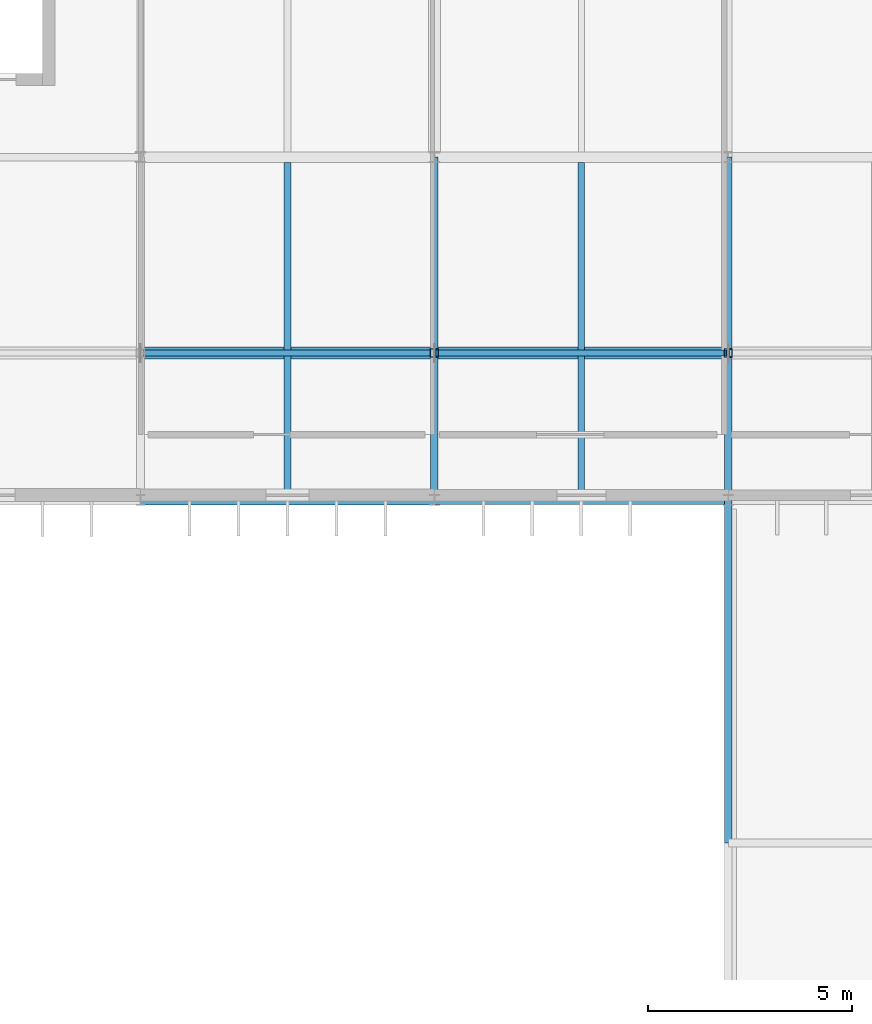
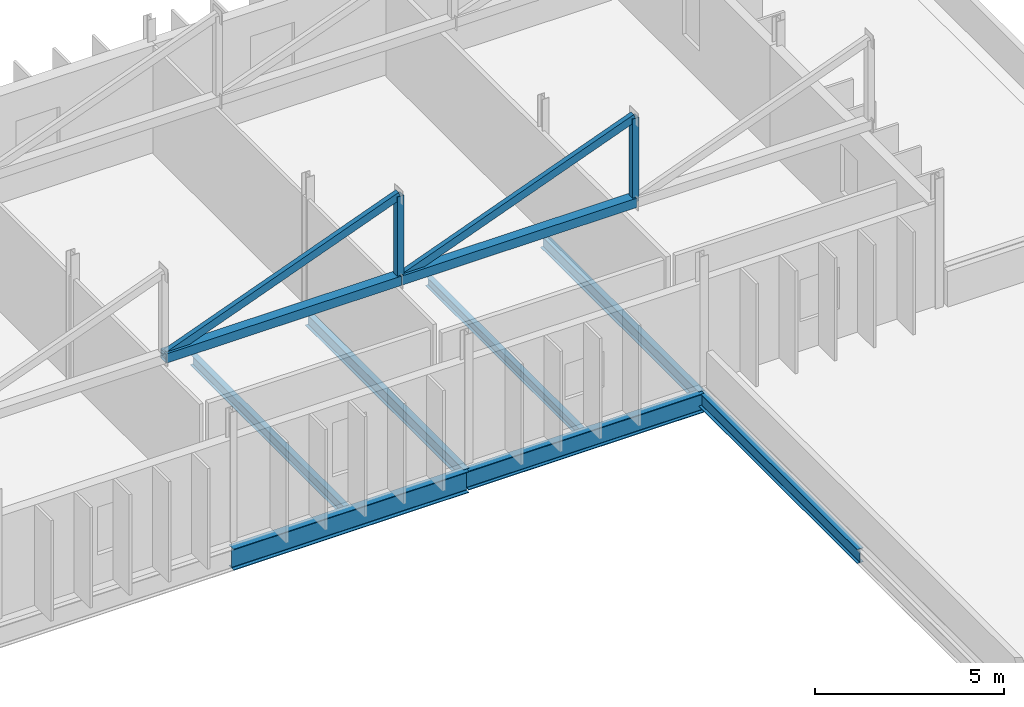
# One storey, part 21 of 52: 7 beams, 6 members.
"""IFC4 building model written with IfcOpenShell, lengths in metres."""

from ifc_helpers import new_model, si_unit, direction, frame, origin, origin_2d, place, context, subcontext, project, spatial, hollow_rectangle, i_section, extrude, material, material_profile, profile_set, type_object, element, save


model = new_model("IFC4")

# Units and contexts
model_context = context("Model", 3, precision=1e-05, world=origin(), true_north=direction((0.0, 1.0)))
body_context = subcontext(model_context, "Body", "Model", "MODEL_VIEW")
ifc_project = project(units=[si_unit("LENGTHUNIT", "METRE"), si_unit("AREAUNIT", "SQUARE_METRE"), si_unit("VOLUMEUNIT", "CUBIC_METRE"), si_unit("PLANEANGLEUNIT", "RADIAN"), si_unit("MASSUNIT", "GRAM", prefix="KILO")], contexts=[model_context])

# Site, building, storey
site_placement = place(None, origin())
site = spatial("IfcSite", under=ifc_project, at=site_placement, CompositionType="ELEMENT")
building_placement = place(site_placement, origin())
building = spatial("IfcBuilding", under=site, at=building_placement, Name="Qelthora Terrace Specialist Clinic", CompositionType="ELEMENT")
storey_placement = place(building_placement, frame((0.0, 0.0, 17.39990234375)))
storey = spatial("IfcBuildingStorey", under=building, at=storey_placement, Name="L04", CompositionType="ELEMENT", Elevation=17.39990234375)

# Beams
ifc_material = material(Name="Steel S355", Category="steel")
ifc_material_profile_1 = material_profile(ifc_material, i_section(OverallWidth=0.178955078125, OverallDepth=0.409912109375, WebThickness=0.0087890625, FlangeThickness=0.014404296875, FilletRadius=0.011962890625, at=origin_2d()), Name="W410X67")
ifc_profile_set_1 = profile_set([ifc_material_profile_1], Name="Steel S355")
beam_type_1 = type_object("IfcBeamType", Name="BM-W410X67", PredefinedType="BEAM", material=ifc_profile_set_1)
beam_1_placement = place(storey_placement, frame((86.39990234375, 92.39990234375, -0.454833984375), z_axis=(0.0, 1.0, 0.0), x_axis=(-1.0, 0.0, 0.0)))
element("IfcBeam", 1, at=beam_1_placement, inside=storey, type_object=beam_type_1, Name="Girder BMY-L04-1250", PredefinedType="BEAM", context=body_context, shape_type="SweptSolid", body=[
    extrude(i_section(OverallWidth=0.178955078125, OverallDepth=0.409912109375, WebThickness=0.0087890625, FlangeThickness=0.014404296875, FilletRadius=0.011962890625, at=origin_2d()), origin(), (0.0, 0.0, 1.0), 8.400146484375),
])
ifc_material_profile_2 = material_profile(ifc_material, i_section(OverallWidth=0.179931640625, OverallDepth=0.4130859375, WebThickness=0.009765625, FlangeThickness=0.01611328125, FilletRadius=0.011962890625, at=origin_2d()), Name="W410X75")
ifc_profile_set_2 = profile_set([ifc_material_profile_2], Name="Steel S355")
beam_type_2 = type_object("IfcBeamType", Name="BM-W410X75", PredefinedType="BEAM", material=ifc_profile_set_2)
beam_2_placement = place(storey_placement, frame((93.60009765625, 92.39990234375, -0.456298828125), z_axis=(0.0, 1.0, 0.0), x_axis=(-1.0, 0.0, 0.0)))
element("IfcBeam", 2, at=beam_2_placement, inside=storey, type_object=beam_type_2, Name="Girder BMY-L04-1259", PredefinedType="BEAM", context=body_context, shape_type="SweptSolid", body=[
    extrude(i_section(OverallWidth=0.179931640625, OverallDepth=0.4130859375, WebThickness=0.009765625, FlangeThickness=0.01611328125, FilletRadius=0.011962890625, at=origin_2d()), origin(), (0.0, 0.0, 1.0), 8.400146484375),
])
ifc_material_profile_3 = material_profile(ifc_material, i_section(OverallWidth=0.19091796875, OverallDepth=0.4599609375, WebThickness=0.010009765625, FlangeThickness=0.01611328125, FilletRadius=0.012939453125, at=origin_2d()), Name="W460X82")
ifc_profile_set_3 = profile_set([ifc_material_profile_3], Name="Steel S355")
beam_type_3 = type_object("IfcBeamType", Name="BM-W460X82", PredefinedType="BEAM", material=ifc_profile_set_3)
beam_3_placement = place(storey_placement, frame((93.60009765625, 84.0, -0.47998046875), z_axis=(0.0, 1.0, 0.0), x_axis=(-1.0, 0.0, 0.0)))
element("IfcBeam", 3, at=beam_3_placement, inside=storey, type_object=beam_type_3, Name="Girder BMY-L04-1258", PredefinedType="BEAM", context=body_context, shape_type="SweptSolid", body=[
    extrude(i_section(OverallWidth=0.19091796875, OverallDepth=0.4599609375, WebThickness=0.010009765625, FlangeThickness=0.01611328125, FilletRadius=0.012939453125, at=origin_2d()), origin(), (0.0, 0.0, 1.0), 8.39990234375),
])
ifc_material_profile_4 = material_profile(ifc_material, i_section(OverallWidth=0.22998046875, OverallDepth=0.616943359375, WebThickness=0.01318359375, FlangeThickness=0.022216796875, FilletRadius=0.01611328125, at=origin_2d()), Name="W610X140")
ifc_profile_set_4 = profile_set([ifc_material_profile_4], Name="Steel S355")
beam_type_4 = type_object("IfcBeamType", Name="BM-W610X140", PredefinedType="BEAM", material=ifc_profile_set_4)
beam_4_placement = place(storey_placement, frame((86.39990234375, 92.39990234375, -0.558349609375), z_axis=(1.0, 0.0, 0.0), x_axis=(0.0, 1.0, 0.0)))
element("IfcBeam", 4, at=beam_4_placement, inside=storey, type_object=beam_type_4, Name="Girder BMX-L04-1179", PredefinedType="BEAM", context=body_context, shape_type="SweptSolid", body=[
    extrude(i_section(OverallWidth=0.22998046875, OverallDepth=0.616943359375, WebThickness=0.01318359375, FlangeThickness=0.022216796875, FilletRadius=0.01611328125, at=origin_2d()), origin(), (0.0, 0.0, 1.0), 7.2001953125),
])
ifc_material_profile_5 = material_profile(ifc_material, i_section(OverallWidth=0.25390625, OverallDepth=0.68798828125, WebThickness=0.01318359375, FlangeThickness=0.02099609375, FilletRadius=0.01806640625, at=origin_2d()), Name="W690X152")
ifc_profile_set_5 = profile_set([ifc_material_profile_5], Name="Steel S355")
beam_type_5 = type_object("IfcBeamType", Name="BM-W690X152", PredefinedType="BEAM", material=ifc_profile_set_5)
beam_5_placement = place(storey_placement, frame((79.199951171875, 92.39990234375, -0.593994140625), z_axis=(1.0, 0.0, 0.0), x_axis=(0.0, 1.0, 0.0)))
element("IfcBeam", 5, at=beam_5_placement, inside=storey, type_object=beam_type_5, Name="Girder BMX-L04-1178", PredefinedType="BEAM", context=body_context, shape_type="SweptSolid", body=[
    extrude(i_section(OverallWidth=0.25390625, OverallDepth=0.68798828125, WebThickness=0.01318359375, FlangeThickness=0.02099609375, FilletRadius=0.01806640625, at=origin_2d()), origin(), (0.0, 0.0, 1.0), 7.199951171875),
])
ifc_material_profile_6 = material_profile(ifc_material, i_section(OverallWidth=0.166015625, OverallDepth=0.31298828125, WebThickness=0.006591796875, FlangeThickness=0.01123046875, FilletRadius=0.010009765625, at=origin_2d()), Name="W310X45")
ifc_profile_set_6 = profile_set([ifc_material_profile_6], Name="Steel S355")
beam_type_6 = type_object("IfcBeamType", Name="JST-W310X45", PredefinedType="JOIST", material=ifc_profile_set_6)
beam_6_placement = place(storey_placement, frame((90.0, 92.514892578125, -0.406494140625), z_axis=(0.0, 1.0, 0.0), x_axis=(-1.0, 0.0, 0.0)))
element("IfcBeam", 6, at=beam_6_placement, inside=storey, type_object=beam_type_6, Name="Composite floor joist JST-L04-0280", PredefinedType="JOIST", context=body_context, shape_type="SweptSolid", body=[
    extrude(i_section(OverallWidth=0.166015625, OverallDepth=0.31298828125, WebThickness=0.006591796875, FlangeThickness=0.01123046875, FilletRadius=0.010009765625, at=origin_2d()), origin(), (0.0, 0.0, 1.0), 8.158203125),
])
ifc_material_profile_7 = material_profile(ifc_material, i_section(OverallWidth=0.172119140625, OverallDepth=0.35791015625, WebThickness=0.0078125, FlangeThickness=0.01318359375, FilletRadius=0.010986328125, at=origin_2d()), Name="W360X57")
ifc_profile_set_7 = profile_set([ifc_material_profile_7], Name="Steel S355")
beam_type_7 = type_object("IfcBeamType", Name="JST-W360X57", PredefinedType="JOIST", material=ifc_profile_set_7)
beam_7_placement = place(storey_placement, frame((82.800048828125, 92.527099609375, -0.428955078125), z_axis=(0.0, 1.0, 0.0), x_axis=(-1.0, 0.0, 0.0)))
element("IfcBeam", 7, at=beam_7_placement, inside=storey, type_object=beam_type_7, Name="Composite floor joist JST-L04-0278", PredefinedType="JOIST", context=body_context, shape_type="SweptSolid", body=[
    extrude(i_section(OverallWidth=0.172119140625, OverallDepth=0.35791015625, WebThickness=0.0078125, FlangeThickness=0.01318359375, FilletRadius=0.010986328125, at=origin_2d()), origin(), (0.0, 0.0, 1.0), 8.14501953125),
])

# Members
ifc_material_profile_8 = material_profile(ifc_material, hollow_rectangle(XDim=0.199951171875, YDim=0.199951171875, WallThickness=0.010009765625, at=origin_2d()), Name="HSS200X200X10")
ifc_profile_set_8 = profile_set([ifc_material_profile_8], Name="Steel S355")
member_type_1 = type_object("IfcMemberType", Name="MEM-BRACE-HSS200", PredefinedType="BRACE", material=ifc_profile_set_8)
for number, where, z_axis, x_axis, name in (
    (8, (86.39990234375, 96.0, 3.75), (0.0, 0.0, 1.0), (1.0, 0.0, 0.0), "Sawtooth clerestory post 4A"),
    (9, (93.60009765625, 96.0, 3.75), (0.0, 0.0, 1.0), (1.0, 0.0, 0.0), "Sawtooth clerestory post 5A"),
):
    element("IfcMember", number, at=place(storey_placement, frame(where, z_axis=z_axis, x_axis=x_axis)), inside=storey, type_object=member_type_1, Name=name, PredefinedType="BRACE", context=body_context, shape_type="SweptSolid", body=[
        extrude(hollow_rectangle(XDim=0.199951171875, YDim=0.199951171875, WallThickness=0.010009765625, at=origin_2d()), origin(), (0.0, 0.0, 1.0), 2.710205078125),
    ])
ifc_material_profile_9 = material_profile(ifc_material, hollow_rectangle(XDim=0.300048828125, YDim=0.300048828125, WallThickness=0.011962890625, at=origin_2d()), Name="HSS300X300X12")
ifc_profile_set_9 = profile_set([ifc_material_profile_9], Name="Steel S355")
member_type_2 = type_object("IfcMemberType", Name="MEM-CHORD-HSS300", PredefinedType="CHORD", material=ifc_profile_set_9)
member_1_placement = place(storey_placement, frame((79.199951171875, 96.0, 3.75), z_axis=(1.0, 0.0, 0.0), x_axis=(0.0, 1.0, 0.0)))
element("IfcMember", 10, at=member_1_placement, inside=storey, type_object=member_type_2, Name="Sawtooth bottom tie chord 4A", PredefinedType="CHORD", context=body_context, shape_type="SweptSolid", body=[
    extrude(hollow_rectangle(XDim=0.300048828125, YDim=0.300048828125, WallThickness=0.011962890625, at=origin_2d()), origin(), (0.0, 0.0, 1.0), 7.199951171875),
])
member_2_placement = place(storey_placement, frame((86.39990234375, 96.0, 3.75), z_axis=(1.0, 0.0, 0.0), x_axis=(0.0, 1.0, 0.0)))
element("IfcMember", 11, at=member_2_placement, inside=storey, type_object=member_type_2, Name="Sawtooth bottom tie chord 5A", PredefinedType="CHORD", context=body_context, shape_type="SweptSolid", body=[
    extrude(hollow_rectangle(XDim=0.300048828125, YDim=0.300048828125, WallThickness=0.011962890625, at=origin_2d()), origin(), (0.0, 0.0, 1.0), 7.2001953125),
])
ifc_material_profile_10 = material_profile(ifc_material, hollow_rectangle(XDim=0.14990234375, YDim=0.25, WallThickness=0.010009765625, at=origin_2d()), Name="HSS250X150X10")
ifc_profile_set_10 = profile_set([ifc_material_profile_10], Name="Steel S355")
member_type_3 = type_object("IfcMemberType", Name="MEM-RAFTER-HSS250", PredefinedType="RAFTER", material=ifc_profile_set_10)
member_3_placement = place(storey_placement, frame((79.199951171875, 96.0, 3.75), z_axis=(0.935891555567, 0.0, 0.352288228895), x_axis=(0.0, 1.0, 0.0)))
element("IfcMember", 12, at=member_3_placement, inside=storey, type_object=member_type_3, Name="Sawtooth steel rafter 4A", PredefinedType="RAFTER", context=body_context, shape_type="SweptSolid", body=[
    extrude(hollow_rectangle(XDim=0.14990234375, YDim=0.25, WallThickness=0.010009765625, at=origin_2d()), origin(), (0.0, 0.0, 1.0), 7.693115234375),
])
member_4_placement = place(storey_placement, frame((86.39990234375, 96.0, 3.75), z_axis=(0.935895493905, 0.0, 0.352277766101), x_axis=(0.0, 1.0, 0.0)))
element("IfcMember", 13, at=member_4_placement, inside=storey, type_object=member_type_3, Name="Sawtooth steel rafter 5A", PredefinedType="RAFTER", context=body_context, shape_type="SweptSolid", body=[
    extrude(hollow_rectangle(XDim=0.14990234375, YDim=0.25, WallThickness=0.010009765625, at=origin_2d()), origin(), (0.0, 0.0, 1.0), 7.693359375),
])

save(model, "model.ifc")
